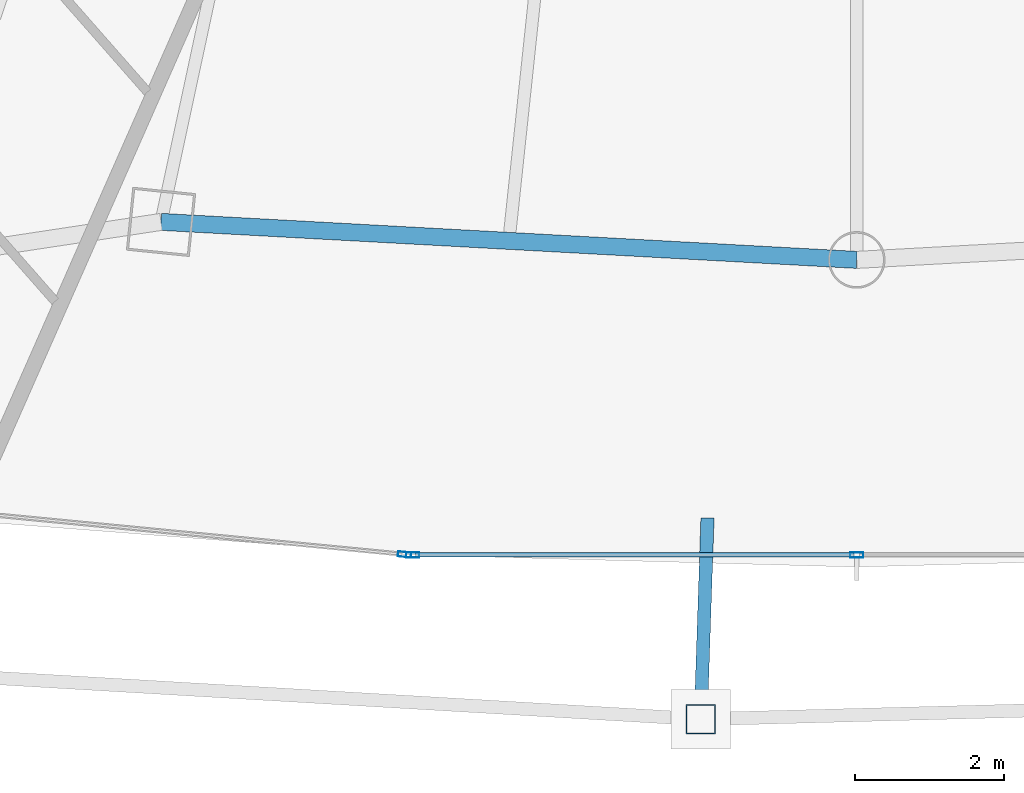
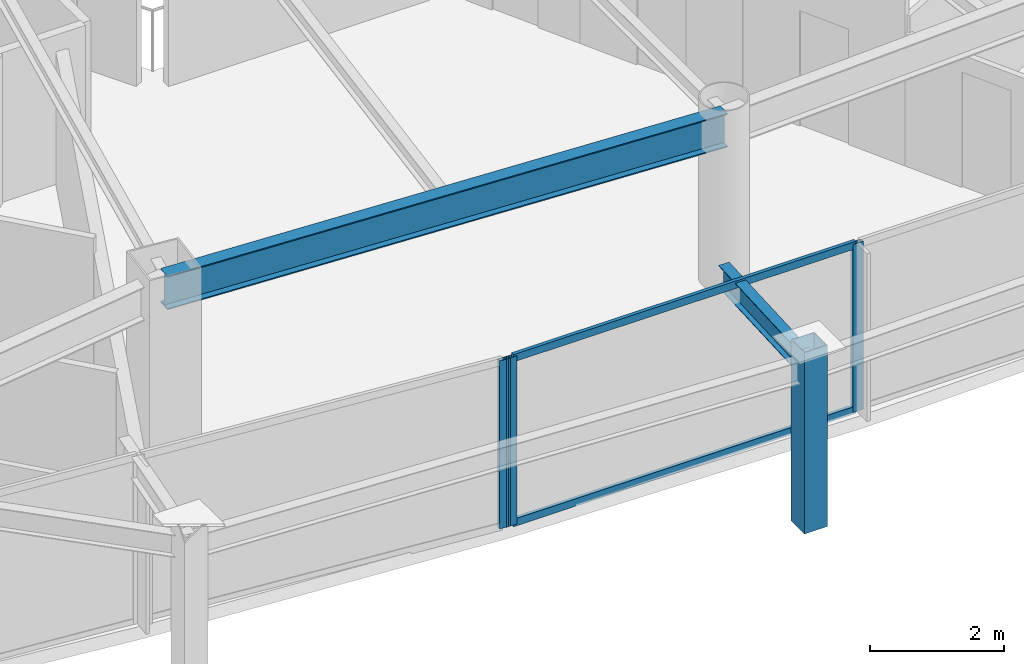
# One storey, part 7 of 31: 6 members, 2 beams, 2 elements without a shape of their own.
"""IFC4 building model written with IfcOpenShell, lengths in metres."""

from ifc_helpers import new_model, si_unit, direction, frame, origin, origin_2d, place, context, subcontext, project, spatial, hollow_rectangle, i_section, extrude, material, layer, layer_set, material_profile, profile_set, type_object, element, aggregate, save


model = new_model("IFC4")

# Units and contexts
model_context = context("Model", 3, precision=1e-05, world=origin(), true_north=direction((0.0, 1.0)))
body_context = subcontext(model_context, "Body", "Model", "MODEL_VIEW")
ifc_project = project(units=[si_unit("LENGTHUNIT", "METRE"), si_unit("AREAUNIT", "SQUARE_METRE"), si_unit("VOLUMEUNIT", "CUBIC_METRE"), si_unit("PLANEANGLEUNIT", "RADIAN"), si_unit("MASSUNIT", "GRAM", prefix="KILO")], contexts=[model_context])

# Site, building, storey
site_placement = place(None, origin())
site = spatial("IfcSite", under=ifc_project, at=site_placement, CompositionType="ELEMENT")
building_placement = place(site_placement, origin())
building = spatial("IfcBuilding", under=site, at=building_placement, Name="Orvanel Arch Residences", CompositionType="ELEMENT")
storey_placement = place(building_placement, frame((0.0, 0.0, 113.300048828125)))
storey = spatial("IfcBuildingStorey", under=building, at=storey_placement, Name="L31", CompositionType="ELEMENT", Elevation=113.300048828125)

# Curtain wall, member
ifc_material_1 = material(Name="Bronze-anodised aluminium AA6063-T6", Category="aluminium")
ifc_layer = layer(ifc_material_1, 0.179931640625)
ifc_layer_set = layer_set([ifc_layer], Name="Bronze-anodised aluminium AA6063-T6")
curtain_wall_type = type_object("IfcCurtainWallType", Name="CW3-MID-SYS", PredefinedType="NOTDEFINED", material=ifc_layer_set)
curtain_wall_1_placement = place(storey_placement, origin())
curtain_wall_1 = element("IfcCurtainWall", 1, at=curtain_wall_1_placement, inside=storey, type_object=curtain_wall_type, Name="L31 CW3-MID-SYS Unitised Curtain Wall", PredefinedType="NOTDEFINED")
ifc_material_profile_1 = material_profile(ifc_material_1, hollow_rectangle(XDim=0.070068359375, YDim=0.179931640625, WallThickness=0.00439453125, at=origin_2d()), Name="ALU180x70x4.5")
ifc_profile_set_1 = profile_set([ifc_material_profile_1], Name="Bronze-anodised aluminium AA6063-T6")
member_type_1 = type_object("IfcMemberType", Name="MUL-180x70", PredefinedType="MULLION", material=ifc_profile_set_1)
member_1_placement = place(storey_placement, frame((26.922119140625, 2.88427734375, 0.0), z_axis=(0.0, 0.0, 1.0), x_axis=(0.095998315385, 0.995381496434, 0.0)))
member_1 = element("IfcMember", 2, at=member_1_placement, type_object=member_type_1, Name="CW-S3 mullion 3", PredefinedType="MULLION", context=body_context, shape_type="SweptSolid", body=[
    extrude(hollow_rectangle(XDim=0.070068359375, YDim=0.179931640625, WallThickness=0.00439453125, at=origin_2d()), origin(), (0.0, 0.0, 1.0), 3.06005859375),
])
aggregate(curtain_wall_1, [member_1])

# Curtain wall, members
curtain_wall_2_placement = place(storey_placement, origin())
curtain_wall_2 = element("IfcCurtainWall", 3, at=curtain_wall_2_placement, inside=storey, type_object=curtain_wall_type, Name="L31 CW3-MID-SYS Unitised Curtain Wall", PredefinedType="NOTDEFINED")
member_2_placement = place(storey_placement, frame((27.031982421875, 2.87890625, 0.0), z_axis=(0.0, 0.0, 1.0), x_axis=(0.0, 1.0, 0.0)))
member_2 = element("IfcMember", 4, at=member_2_placement, type_object=member_type_1, Name="CW-S3 mullion 1", PredefinedType="MULLION", context=body_context, shape_type="SweptSolid", body=[
    extrude(hollow_rectangle(XDim=0.070068359375, YDim=0.179931640625, WallThickness=0.00439453125, at=origin_2d()), origin(), (0.0, 0.0, 1.0), 3.06005859375),
])
member_3_placement = place(storey_placement, frame((33.0, 2.87890625, 0.0), z_axis=(0.0, 0.0, 1.0), x_axis=(0.0, 1.0, 0.0)))
member_3 = element("IfcMember", 5, at=member_3_placement, type_object=member_type_1, Name="CW-S3 mullion 2", PredefinedType="MULLION", context=body_context, shape_type="SweptSolid", body=[
    extrude(hollow_rectangle(XDim=0.070068359375, YDim=0.179931640625, WallThickness=0.00439453125, at=origin_2d()), origin(), (0.0, 0.0, 1.0), 3.06005859375),
])

# Beams
ifc_material_2 = material(Name="Structural steel AS/NZS 3679.1 Grade 300 (300 MPa)", Category="steel")
ifc_material_profile_2 = material_profile(ifc_material_2, i_section(OverallWidth=0.177978515625, OverallDepth=0.406005859375, WebThickness=0.0078125, FlangeThickness=0.0126953125, at=origin_2d()), Name="410UB59.7")
ifc_profile_set_2 = profile_set([ifc_material_profile_2], Name="Structural steel AS/NZS 3679.1 Grade 300 (300 MPa)")
beam_type_1 = type_object("IfcBeamType", Name="OB-410UB-EXT", PredefinedType="SPANDREL", material=ifc_profile_set_2)
beam_1_placement = place(storey_placement, frame((30.993896484375, 3.375, 2.85693359375), z_axis=(-0.033567205135, -0.999436462582, 0.0), x_axis=(0.999436462582, -0.033567205135, 0.0)))
element("IfcBeam", 6, at=beam_1_placement, inside=storey, type_object=beam_type_1, Name="L31 Outer Frame Radial Tie Beam 06", PredefinedType="SPANDREL", context=body_context, shape_type="SweptSolid", body=[
    extrude(i_section(OverallWidth=0.177978515625, OverallDepth=0.406005859375, WebThickness=0.0078125, FlangeThickness=0.0126953125, at=origin_2d()), origin(), (0.0, 0.0, 1.0), 2.70556640625),
])
ifc_material_profile_3 = material_profile(ifc_material_2, i_section(OverallWidth=0.22900390625, OverallDepth=0.612060546875, WebThickness=0.011962890625, FlangeThickness=0.01953125, at=origin_2d()), Name="610UB125")
ifc_profile_set_3 = profile_set([ifc_material_profile_3], Name="Structural steel AS/NZS 3679.1 Grade 300 (300 MPa)")
beam_type_2 = type_object("IfcBeamType", Name="SP-610UB", PredefinedType="SPANDREL", material=ifc_profile_set_3)
beam_2_placement = place(storey_placement, frame((23.64892578125, 7.35498046875, 2.75390625), z_axis=(0.998510315598, -0.054563262768, 0.0), x_axis=(0.054563262768, 0.998510315598, 0.0)))
element("IfcBeam", 7, at=beam_2_placement, inside=storey, type_object=beam_type_2, Name="L31 Perimeter Spandrel Beam 05", PredefinedType="SPANDREL", context=body_context, shape_type="SweptSolid", body=[
    extrude(i_section(OverallWidth=0.22900390625, OverallDepth=0.612060546875, WebThickness=0.011962890625, FlangeThickness=0.01953125, at=origin_2d()), origin(), (0.0, 0.0, 1.0), 9.364990234375),
])

# Member
ifc_material_3 = material(Name="Structural steel AS/NZS 1163 C450L0 (Grade 450)", Category="steel")
ifc_material_profile_4 = material_profile(ifc_material_3, hollow_rectangle(XDim=0.39990234375, YDim=0.39990234375, WallThickness=0.01611328125, at=origin_2d()), Name="SHS400x400x16")
ifc_profile_set_4 = profile_set([ifc_material_profile_4], Name="Structural steel AS/NZS 1163 C450L0 (Grade 450)")
member_type_2 = type_object("IfcMemberType", Name="ST-400SHS-EXT", PredefinedType="STRUT", material=ifc_profile_set_4)
member_4_placement = place(storey_placement, frame((30.903076171875, 0.6708984375, 0.0), z_axis=(0.0, 0.0, 1.0), x_axis=(1.0, 0.0, 0.0)))
element("IfcMember", 8, at=member_4_placement, inside=storey, type_object=member_type_2, Name="L31 Outer Perimeter Frame Post 06", PredefinedType="STRUT", context=body_context, shape_type="SweptSolid", body=[
    extrude(hollow_rectangle(XDim=0.39990234375, YDim=0.39990234375, WallThickness=0.01611328125, at=origin_2d()), origin(), (0.0, 0.0, 1.0), 3.300048828125),
])

ifc_material_profile_5 = material_profile(ifc_material_1, hollow_rectangle(XDim=0.06005859375, YDim=0.135009765625, WallThickness=0.00390625, at=origin_2d()), Name="ALU135x60x4")
ifc_profile_set_5 = profile_set([ifc_material_profile_5], Name="Bronze-anodised aluminium AA6063-T6")
member_type_3 = type_object("IfcMemberType", Name="TRN-135x60", PredefinedType="USERDEFINED", material=ifc_profile_set_5)
member_5_placement = place(storey_placement, frame((27.06689453125, 2.87890625, 0.030029296875), z_axis=(1.0, 0.0, 0.0), x_axis=(0.0, 1.0, 0.0)))
member_5 = element("IfcMember", 9, at=member_5_placement, type_object=member_type_3, Name="CW-S3 transom 1.1", ObjectType="TRANSOM", PredefinedType="USERDEFINED", context=body_context, shape_type="SweptSolid", body=[
    extrude(hollow_rectangle(XDim=0.06005859375, YDim=0.135009765625, WallThickness=0.00390625, at=origin_2d()), origin(), (0.0, 0.0, 1.0), 5.898193359375),
])

member_6_placement = place(storey_placement, frame((27.06689453125, 2.87890625, 3.030029296875), z_axis=(1.0, 0.0, 0.0), x_axis=(0.0, 1.0, 0.0)))
member_6 = element("IfcMember", 10, at=member_6_placement, type_object=member_type_3, Name="CW-S3 transom 1.2", ObjectType="TRANSOM", PredefinedType="USERDEFINED", context=body_context, shape_type="SweptSolid", body=[
    extrude(hollow_rectangle(XDim=0.06005859375, YDim=0.135009765625, WallThickness=0.00390625, at=origin_2d()), origin(), (0.0, 0.0, 1.0), 5.898193359375),
])

aggregate(curtain_wall_2, [member_2, member_3, member_5, member_6])

save(model, "model.ifc")
